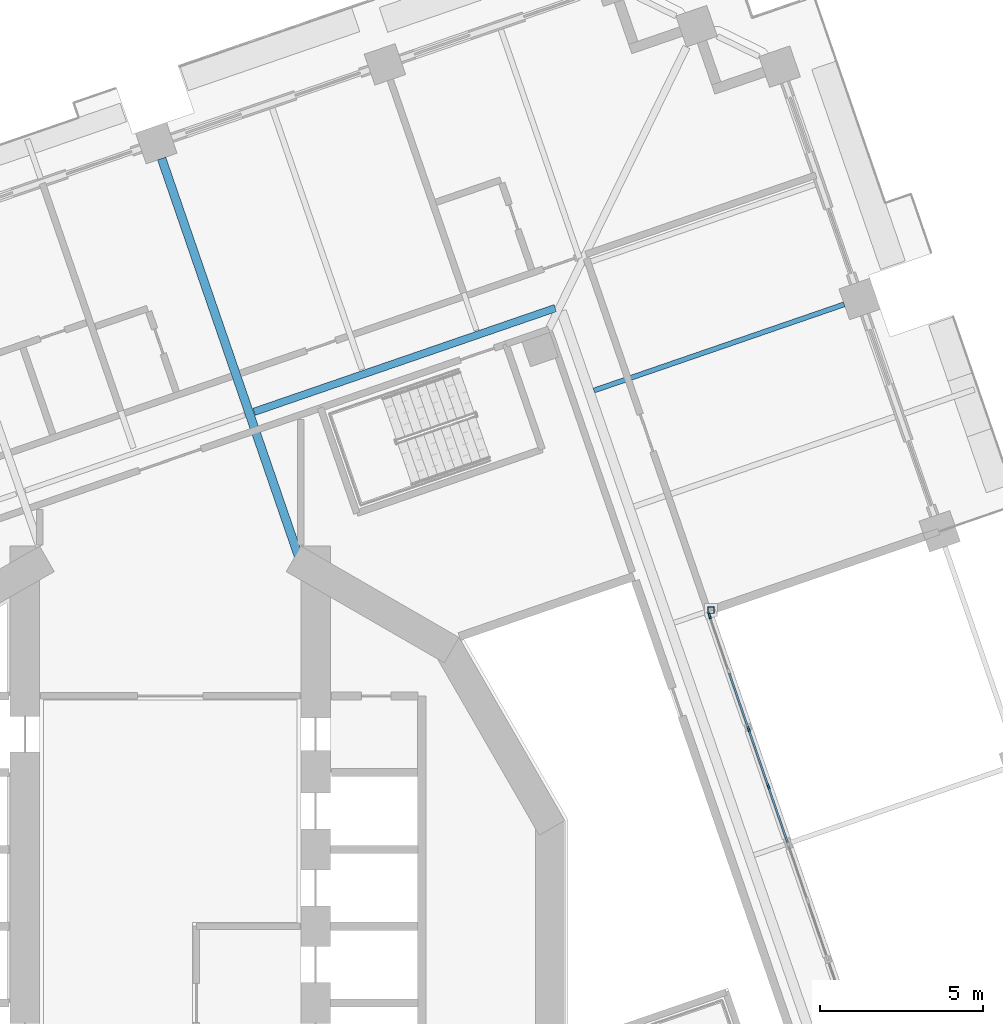
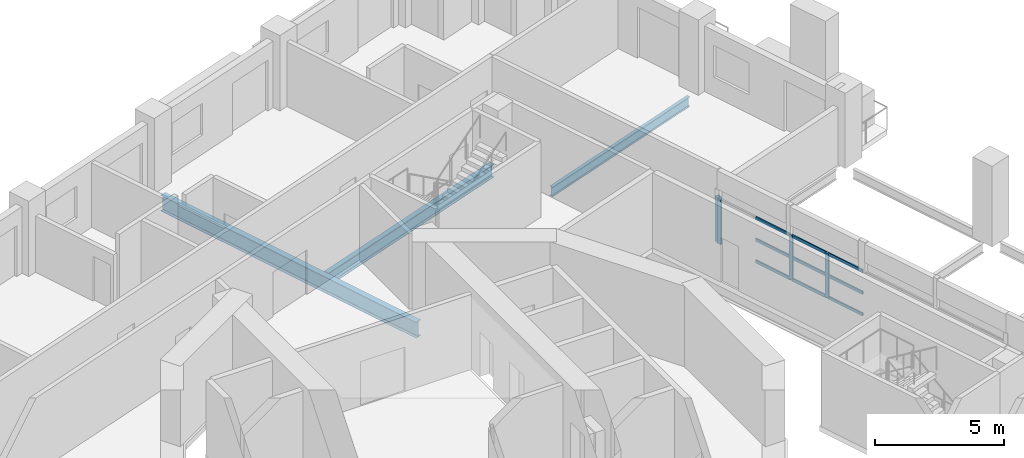
# One storey, part 4 of 21: 13 members, 3 beams, 1 element without a shape of its own.
"""IFC4 building model written with IfcOpenShell, lengths in metres."""

import ifcopenshell
import ifcopenshell.guid

model = None  # the IFC model being written
_history = None  # IfcOwnerHistory: only IFC2X3 demands one
_inside = {}  # id of a spatial element -> (the spatial element, [elements in it])
_under = {}  # id of a project, library or spatial element -> (it, [spatial elements below it])
_declared = {}  # id of a project -> (the project, [libraries it declares])
_typed = {}  # id of a type object -> (the type object, [elements of that type])
_made_of = {}  # id of a material, layer set ... -> (it, [elements and type objects made of it])


def new_model(schema):
    """Start an empty IFC model of exactly this schema.

    Asked for "IFC4X3", IfcOpenShell would pick the latest addendum, in which some entities
    have other attributes; the version numbers below select the first issue.
    IFC2X3 requires an IfcOwnerHistory on every rooted entity: one is made here for all.
    """
    global model, _history
    if schema == "IFC4X3":
        model = ifcopenshell.file(schema_version=(4, 3, 0, 0))
    else:
        model = ifcopenshell.file(schema=schema)
    _inside.clear()
    _under.clear()
    _declared.clear()
    _typed.clear()
    _made_of.clear()
    _history = None
    if model.schema == "IFC2X3":
        org = make("IfcOrganization", Name="unknown")
        user = make(
            "IfcPersonAndOrganization",
            ThePerson=make("IfcPerson", FamilyName="unknown"),
            TheOrganization=org,
        )
        app = make(
            "IfcApplication",
            ApplicationDeveloper=org,
            Version="unknown",
            ApplicationFullName="unknown",
            ApplicationIdentifier="unknown",
        )
        _history = make(
            "IfcOwnerHistory",
            OwningUser=user,
            OwningApplication=app,
            ChangeAction="ADDED",
            CreationDate=0,
        )
    return model


def make(cls, **values):
    """One entity of the class cls with the attributes given. An attribute that is None is left unset."""
    return model.create_entity(
        cls, **{name: value for name, value in values.items() if value is not None}
    )


def rooted(cls, **values):
    """An entity with a GlobalId (a new one), such as an element, a storey or a relation."""
    return make(cls, GlobalId=ifcopenshell.guid.new(), OwnerHistory=_history, **values)


def si_unit(unit_type, name, prefix=None):
    """IfcSIUnit, for example si_unit("LENGTHUNIT", "METRE", prefix="MILLI")."""
    return make("IfcSIUnit", UnitType=unit_type, Prefix=prefix, Name=name)


def assignment(units):
    """IfcUnitAssignment: the units of a project."""
    return None if units is None else make("IfcUnitAssignment", Units=units)


def point(xyz):
    """IfcCartesianPoint."""
    return None if xyz is None else make("IfcCartesianPoint", Coordinates=xyz)


def direction(xyz):
    """IfcDirection."""
    return None if xyz is None else make("IfcDirection", DirectionRatios=xyz)


def frame(location, z_axis=None, x_axis=None):
    """IfcAxis2Placement3D, a coordinate frame: its origin and axes. An axis left out is left unset."""
    return make(
        "IfcAxis2Placement3D",
        Location=point(location),
        Axis=direction(z_axis),
        RefDirection=direction(x_axis),
    )


def frame_2d(location, x_axis=None):
    """IfcAxis2Placement2D, a coordinate frame in the plane: its origin and x axis."""
    return make(
        "IfcAxis2Placement2D", Location=point(location), RefDirection=direction(x_axis)
    )


def origin():
    """The frame at (0, 0, 0) with its axes left unset."""
    return frame((0.0, 0.0, 0.0))


def origin_2d():
    """The frame at (0, 0) in the plane with its x axis left unset."""
    return frame_2d((0.0, 0.0))


def place(relative_to, where):
    """IfcLocalPlacement: puts the frame where relative to a parent placement (None: the world)."""
    return make(
        "IfcLocalPlacement", PlacementRelTo=relative_to, RelativePlacement=where
    )


def context(
    kind, dimensions, precision=None, world=None, true_north=None, identifier=None
):
    """IfcGeometricRepresentationContext, for example the 3D "Model" context."""
    return make(
        "IfcGeometricRepresentationContext",
        ContextIdentifier=identifier,
        ContextType=kind,
        CoordinateSpaceDimension=dimensions,
        Precision=precision,
        WorldCoordinateSystem=world,
        TrueNorth=true_north,
    )


def subcontext(parent, identifier, kind, view, scale=None):
    """IfcGeometricRepresentationSubContext, for example "Body" below "Model"."""
    return make(
        "IfcGeometricRepresentationSubContext",
        ContextIdentifier=identifier,
        ContextType=kind,
        ParentContext=parent,
        TargetScale=scale,
        TargetView=view,
    )


def project(units=None, contexts=None):
    """IfcProject with its units and contexts."""
    return rooted(
        "IfcProject",
        Name="project",
        RepresentationContexts=contexts,
        UnitsInContext=assignment(units),
    )


def spatial(cls, under=None, at=None, **own):
    """A site, building, storey or space (cls), placed at a placement, below another one or the project."""
    s = rooted(cls, ObjectPlacement=at, **own)
    if under is not None:
        _under.setdefault(under.id(), (under, []))[1].append(s)
    return s


def profile(cls, at=None, kind="AREA", **sizes):
    """A parametric profile (cls). Its sizes go by their IFC names, for example OverallWidth=200.0."""
    return make(cls, ProfileType=kind, Position=at, **sizes)


def rectangle(**sizes):
    """IfcRectangleProfileDef."""
    return profile("IfcRectangleProfileDef", **sizes)


def hollow_rectangle(**sizes):
    """IfcRectangleHollowProfileDef."""
    return profile("IfcRectangleHollowProfileDef", **sizes)


def i_section(**sizes):
    """IfcIShapeProfileDef."""
    return profile("IfcIShapeProfileDef", **sizes)


def extrude(swept, where, along, depth):
    """IfcExtrudedAreaSolid: the profile swept, set in the frame where, extruded along a direction by depth."""
    return make(
        "IfcExtrudedAreaSolid",
        SweptArea=swept,
        Position=where,
        ExtrudedDirection=direction(along),
        Depth=depth,
    )


def shape(context_of_items, identifier, shape_type, items):
    """IfcShapeRepresentation: the items that make up one representation, for example the "Body"."""
    return make(
        "IfcShapeRepresentation",
        ContextOfItems=context_of_items,
        RepresentationIdentifier=identifier,
        RepresentationType=shape_type,
        Items=items,
    )


def material(Name=None, Category=None):
    """IfcMaterial."""
    return make("IfcMaterial", Name=Name, Category=Category)


def material_profile(
    of_material, cross_section, Name=None, Category=None, Priority=None
):
    """IfcMaterialProfile: a cross section and its material."""
    return make(
        "IfcMaterialProfile",
        Name=Name,
        Material=of_material,
        Profile=cross_section,
        Priority=Priority,
        Category=Category,
    )


def profile_set(profiles, Name=None, composite=None):
    """IfcMaterialProfileSet."""
    return make(
        "IfcMaterialProfileSet",
        Name=Name,
        MaterialProfiles=profiles,
        CompositeProfile=composite,
    )


def made_of(thing, what):
    """Note that an element or type object is made of a material, layer set ...; save() writes the relation."""
    if what is not None:
        _made_of.setdefault(what.id(), (what, []))[1].append(thing)
    return thing


def type_object(cls, material=None, **own):
    """A type object (cls), such as IfcWallType, which elements share."""
    return made_of(rooted(cls, **own), material)


def element(
    cls,
    number,
    at=None,
    inside=None,
    cuts=None,
    type_object=None,
    material=None,
    context=None,
    identifier="Body",
    shape_type=None,
    held_by="IfcProductDefinitionShape",
    body=None,
    shapes=None,
    **own,
):
    """One element of the class cls, such as IfcWall. Its Tag is "e" and its number.

    at: its placement. inside: the storey or other place that contains it. cuts: it is an
    opening in that element (IfcRelVoidsElement). A single representation is given by context,
    identifier, shape_type and body (its items); several are given by shapes. held_by: the class
    of the entity that holds the representations. save() writes the other relations.
    """
    e = rooted(cls, Tag="e%d" % number, ObjectPlacement=at, **own)
    if body is not None:
        shapes = [shape(context, identifier, shape_type, body)]
    if shapes is not None:
        e.Representation = make(held_by, Representations=shapes)
    if inside is not None:
        _inside.setdefault(inside.id(), (inside, []))[1].append(e)
    if cuts is not None:
        rooted(
            "IfcRelVoidsElement", RelatingBuildingElement=cuts, RelatedOpeningElement=e
        )
    if type_object is not None:
        _typed.setdefault(type_object.id(), (type_object, []))[1].append(e)
    return made_of(e, material)


def aggregate(whole, parts):
    """IfcRelAggregates: a whole, such as a stair, and the parts it consists of."""
    return rooted("IfcRelAggregates", RelatingObject=whole, RelatedObjects=parts)


def save(model, path):
    """Write the relations noted so far, then the file.

    IfcRelAggregates (storeys below a building ...), IfcRelContainedInSpatialStructure (elements
    in a storey), IfcRelDefinesByType, IfcRelAssociatesMaterial and IfcRelDeclares: one each for
    every whole, place, type object, material and project.
    """
    for whole, parts in _under.values():
        aggregate(whole, parts)
    for where, things in _inside.values():
        rooted(
            "IfcRelContainedInSpatialStructure",
            RelatedElements=things,
            RelatingStructure=where,
        )
    for kind, things in _typed.values():
        rooted("IfcRelDefinesByType", RelatedObjects=things, RelatingType=kind)
    for what, things in _made_of.values():
        rooted("IfcRelAssociatesMaterial", RelatedObjects=things, RelatingMaterial=what)
    for by, libraries in _declared.values():
        rooted("IfcRelDeclares", RelatingContext=by, RelatedDefinitions=libraries)
    model.write(path)


model = new_model("IFC4")

# Units and contexts
model_context = context("Model", 3, precision=1e-05, world=origin(), true_north=direction((0.0, 1.0)))
body_context = subcontext(model_context, "Body", "Model", "MODEL_VIEW")
ifc_project = project(units=[si_unit("LENGTHUNIT", "METRE"), si_unit("AREAUNIT", "SQUARE_METRE"), si_unit("VOLUMEUNIT", "CUBIC_METRE"), si_unit("PLANEANGLEUNIT", "RADIAN"), si_unit("MASSUNIT", "GRAM", prefix="KILO")], contexts=[model_context])

# Site, building, storey
site_placement = place(None, origin())
site = spatial("IfcSite", under=ifc_project, at=site_placement, CompositionType="ELEMENT")
building_placement = place(site_placement, origin())
building = spatial("IfcBuilding", under=site, at=building_placement, Name="Cantera Rosa Tower", CompositionType="ELEMENT")
storey_placement = place(building_placement, frame((0.0, 0.0, 119.300048828125)))
storey = spatial("IfcBuildingStorey", under=building, at=storey_placement, Name="L24", CompositionType="ELEMENT", Elevation=119.300048828125)

# Curtain wall, members
ifc_material_1 = material(Name="Aluminium frame with clear glass", Category="aluminium")
curtain_wall_type = type_object("IfcCurtainWallType", Name="CW1 TERRACE POCKET GLAZING", PredefinedType="NOTDEFINED", material=ifc_material_1)
curtain_wall_placement = place(storey_placement, origin())
curtain_wall = element("IfcCurtainWall", 1, at=curtain_wall_placement, inside=storey, type_object=curtain_wall_type, Name="CW1 CW1", PredefinedType="NOTDEFINED")
ifc_material_2 = material(Name="Anodised bronze aluminium", Category="aluminium")
ifc_material_profile_1 = material_profile(ifc_material_2, rectangle(XDim=0.06005859375, YDim=0.179931640625, at=origin_2d()), Name="CW-MULLION 60x180 POCKET")
ifc_profile_set_1 = profile_set([ifc_material_profile_1], Name="Anodised bronze aluminium")
member_type_1 = type_object("IfcMemberType", Name="CW-MULLION 60x180 POCKET", PredefinedType="MULLION", material=ifc_profile_set_1)
member_1_placement = place(storey_placement, frame((18.303466796875, 4.281005859375, 0.0), z_axis=(0.0, 0.0, 1.0), x_axis=(-0.945518575588, -0.32556815449, 0.0)))
member_1 = element("IfcMember", 2, at=member_1_placement, type_object=member_type_1, Name="CW1 mullion 6", PredefinedType="MULLION", context=body_context, shape_type="SweptSolid", body=[
    extrude(rectangle(XDim=0.06005859375, YDim=0.179931640625, at=origin_2d()), origin(), (0.0, 0.0, 1.0), 2.10400390625),
])
member_2_placement = place(storey_placement, frame((17.70166015625, 6.029052734375, 0.0), z_axis=(0.0, 0.0, 1.0), x_axis=(-0.945518575588, -0.32556815449, 0.0)))
member_2 = element("IfcMember", 3, at=member_2_placement, type_object=member_type_1, Name="CW1 mullion 7", PredefinedType="MULLION", context=body_context, shape_type="SweptSolid", body=[
    extrude(rectangle(XDim=0.06005859375, YDim=0.179931640625, at=origin_2d()), origin(), (0.0, 0.0, 1.0), 2.10400390625),
])
member_3_placement = place(storey_placement, frame((16.507568359375, 9.496826171875, 0.0), z_axis=(0.0, 0.0, 1.0), x_axis=(-0.945518575588, -0.32556815449, 0.0)))
member_3 = element("IfcMember", 4, at=member_3_placement, type_object=member_type_1, Name="CW1 mullion 9", PredefinedType="MULLION", context=body_context, shape_type="SweptSolid", body=[
    extrude(rectangle(XDim=0.06005859375, YDim=0.179931640625, at=origin_2d()), origin(), (0.0, 0.0, 1.0), 2.10400390625),
])
ifc_material_3 = material(Name="Anodised bronze aluminium", Category="aluminium")
ifc_material_profile_2 = material_profile(ifc_material_3, rectangle(XDim=0.06005859375, YDim=0.139892578125, at=origin_2d()), Name="CW-TRANSOM 60x140 POCKET")
ifc_profile_set_2 = profile_set([ifc_material_profile_2], Name="Anodised bronze aluminium")
member_type_2 = type_object("IfcMemberType", Name="CW-TRANSOM 60x140 POCKET", PredefinedType="USERDEFINED", material=ifc_profile_set_2)
member_4_placement = place(storey_placement, frame((18.8955078125, 2.561279296875, 0.030029296875), z_axis=(-0.325506938428, 0.945539651752, 0.0), x_axis=(-0.945539651752, -0.325506938428, 0.0)))
member_4 = element("IfcMember", 5, at=member_4_placement, type_object=member_type_2, Name="CW1 transom 5.1", ObjectType="TRANSOM", PredefinedType="USERDEFINED", context=body_context, shape_type="SweptSolid", body=[
    extrude(rectangle(XDim=0.06005859375, YDim=0.139892578125, at=origin_2d()), origin(), (0.0, 0.0, 1.0), 1.788818359375),
])
member_5_placement = place(storey_placement, frame((18.8955078125, 2.561279296875, 1.052001953125), z_axis=(-0.325506938428, 0.945539651752, 0.0), x_axis=(-0.945539651752, -0.325506938428, 0.0)))
member_5 = element("IfcMember", 6, at=member_5_placement, type_object=member_type_2, Name="CW1 transom 5.2", ObjectType="TRANSOM", PredefinedType="USERDEFINED", context=body_context, shape_type="SweptSolid", body=[
    extrude(rectangle(XDim=0.06005859375, YDim=0.139892578125, at=origin_2d()), origin(), (0.0, 0.0, 1.0), 1.788818359375),
])
member_6_placement = place(storey_placement, frame((18.8955078125, 2.561279296875, 2.073974609375), z_axis=(-0.325506938428, 0.945539651752, 0.0), x_axis=(-0.945539651752, -0.325506938428, 0.0)))
member_6 = element("IfcMember", 7, at=member_6_placement, type_object=member_type_2, Name="CW1 transom 5.3", ObjectType="TRANSOM", PredefinedType="USERDEFINED", context=body_context, shape_type="SweptSolid", body=[
    extrude(rectangle(XDim=0.06005859375, YDim=0.139892578125, at=origin_2d()), origin(), (0.0, 0.0, 1.0), 1.788818359375),
])
member_7_placement = place(storey_placement, frame((18.293701171875, 4.309326171875, 0.030029296875), z_axis=(-0.325506938428, 0.945539651752, 0.0), x_axis=(-0.945539651752, -0.325506938428, 0.0)))
member_7 = element("IfcMember", 8, at=member_7_placement, type_object=member_type_2, Name="CW1 transom 6.1", ObjectType="TRANSOM", PredefinedType="USERDEFINED", context=body_context, shape_type="SweptSolid", body=[
    extrude(rectangle(XDim=0.06005859375, YDim=0.139892578125, at=origin_2d()), origin(), (0.0, 0.0, 1.0), 1.788818359375),
])
member_8_placement = place(storey_placement, frame((18.293701171875, 4.309326171875, 1.052001953125), z_axis=(-0.325506938428, 0.945539651752, 0.0), x_axis=(-0.945539651752, -0.325506938428, 0.0)))
member_8 = element("IfcMember", 9, at=member_8_placement, type_object=member_type_2, Name="CW1 transom 6.2", ObjectType="TRANSOM", PredefinedType="USERDEFINED", context=body_context, shape_type="SweptSolid", body=[
    extrude(rectangle(XDim=0.06005859375, YDim=0.139892578125, at=origin_2d()), origin(), (0.0, 0.0, 1.0), 1.788818359375),
])
member_9_placement = place(storey_placement, frame((18.293701171875, 4.309326171875, 2.073974609375), z_axis=(-0.325506938428, 0.945539651752, 0.0), x_axis=(-0.945539651752, -0.325506938428, 0.0)))
member_9 = element("IfcMember", 10, at=member_9_placement, type_object=member_type_2, Name="CW1 transom 6.3", ObjectType="TRANSOM", PredefinedType="USERDEFINED", context=body_context, shape_type="SweptSolid", body=[
    extrude(rectangle(XDim=0.06005859375, YDim=0.139892578125, at=origin_2d()), origin(), (0.0, 0.0, 1.0), 1.788818359375),
])
member_10_placement = place(storey_placement, frame((17.69189453125, 6.057373046875, 0.030029296875), z_axis=(-0.325628950391, 0.945497639694, 0.0), x_axis=(-0.945497639694, -0.325628950391, 0.0)))
member_10 = element("IfcMember", 11, at=member_10_placement, type_object=member_type_2, Name="CW1 transom 7.1", ObjectType="TRANSOM", PredefinedType="USERDEFINED", context=body_context, shape_type="SweptSolid", body=[
    extrude(rectangle(XDim=0.06005859375, YDim=0.139892578125, at=origin_2d()), origin(), (0.0, 0.0, 1.0), 1.788818359375),
])
member_11_placement = place(storey_placement, frame((17.69189453125, 6.057373046875, 1.052001953125), z_axis=(-0.325628950391, 0.945497639694, 0.0), x_axis=(-0.945497639694, -0.325628950391, 0.0)))
member_11 = element("IfcMember", 12, at=member_11_placement, type_object=member_type_2, Name="CW1 transom 7.2", ObjectType="TRANSOM", PredefinedType="USERDEFINED", context=body_context, shape_type="SweptSolid", body=[
    extrude(rectangle(XDim=0.06005859375, YDim=0.139892578125, at=origin_2d()), origin(), (0.0, 0.0, 1.0), 1.788818359375),
])
member_12_placement = place(storey_placement, frame((17.69189453125, 6.057373046875, 2.073974609375), z_axis=(-0.325628950391, 0.945497639694, 0.0), x_axis=(-0.945497639694, -0.325628950391, 0.0)))
member_12 = element("IfcMember", 13, at=member_12_placement, type_object=member_type_2, Name="CW1 transom 7.3", ObjectType="TRANSOM", PredefinedType="USERDEFINED", context=body_context, shape_type="SweptSolid", body=[
    extrude(rectangle(XDim=0.06005859375, YDim=0.139892578125, at=origin_2d()), origin(), (0.0, 0.0, 1.0), 1.788818359375),
])
aggregate(curtain_wall, [member_1, member_2, member_3, member_4, member_5, member_6, member_7, member_8, member_9, member_10, member_11, member_12])

# Member
ifc_material_4 = material(Name="Steel ASTM A992 (Fy 345 MPa)", Category="steel")
ifc_material_profile_3 = material_profile(ifc_material_4, hollow_rectangle(XDim=0.199951171875, YDim=0.199951171875, WallThickness=0.010009765625, at=origin_2d()), Name="LINTEL POST RHS 200x200x10")
ifc_profile_set_3 = profile_set([ifc_material_profile_3], Name="Steel ASTM A992 (Fy 345 MPa)")
member_type_3 = type_object("IfcMemberType", Name="LINTEL POST RHS 200x200x10", PredefinedType="USERDEFINED", material=ifc_profile_set_3)
member_13_placement = place(storey_placement, frame((16.551513671875, 9.67578125, 0.0), z_axis=(0.0, 0.0, 1.0), x_axis=(1.0, 0.0, 0.0)))
element("IfcMember", 14, at=member_13_placement, inside=storey, type_object=member_type_3, Name="LINTEL POST L24-2", ObjectType="LINTEL POST", PredefinedType="USERDEFINED", context=body_context, shape_type="SweptSolid", body=[
    extrude(hollow_rectangle(XDim=0.199951171875, YDim=0.199951171875, WallThickness=0.010009765625, at=origin_2d()), origin(), (0.0, 0.0, 1.0), 2.10595703125),
])

# Beams
ifc_material_5 = material(Name="Steel ASTM A992 (Fy 345 MPa)", Category="steel")
ifc_material_profile_4 = material_profile(ifc_material_5, i_section(OverallWidth=0.154052734375, OverallDepth=0.4599609375, WebThickness=0.009033203125, FlangeThickness=0.015380859375, FilletRadius=0.01025390625, at=origin_2d()), Name="W460X68")
ifc_profile_set_4 = profile_set([ifc_material_profile_4], Name="Steel ASTM A992 (Fy 345 MPa)")
beam_type_1 = type_object("IfcBeamType", Name="STEEL BEAM W460X68", PredefinedType="BEAM", material=ifc_profile_set_4)
beam_1_placement = place(storey_placement, frame((20.62744140625, 19.032470703125, -0.47998046875), z_axis=(-0.945523745635, -0.325553139197, 0.0), x_axis=(0.325553139197, -0.945523745635, 0.0)))
element("IfcBeam", 15, at=beam_1_placement, inside=storey, type_object=beam_type_1, Name="G-Z2-04 L24", PredefinedType="BEAM", context=body_context, shape_type="SweptSolid", body=[
    extrude(i_section(OverallWidth=0.154052734375, OverallDepth=0.4599609375, WebThickness=0.009033203125, FlangeThickness=0.015380859375, FilletRadius=0.01025390625, at=origin_2d()), origin(), (0.0, 0.0, 1.0), 8.099853515625),
])
ifc_material_6 = material(Name="Steel ASTM A992 (Fy 345 MPa)", Category="steel")
ifc_material_profile_5 = material_profile(ifc_material_6, i_section(OverallWidth=0.22900390625, OverallDepth=0.612060546875, WebThickness=0.011962890625, FlangeThickness=0.01953125, FilletRadius=0.0126953125, at=origin_2d()), Name="W610X125")
ifc_profile_set_5 = profile_set([ifc_material_profile_5], Name="Steel ASTM A992 (Fy 345 MPa)")
beam_type_2 = type_object("IfcBeamType", Name="STEEL BEAM W610X125", PredefinedType="BEAM", material=ifc_profile_set_5)
beam_2_placement = place(storey_placement, frame((2.564453125, 15.74267578125, -0.55615234375), z_axis=(0.945524824291, 0.325550006372, 0.0), x_axis=(-0.325550006372, 0.945524824291, 0.0)))
element("IfcBeam", 16, at=beam_2_placement, inside=storey, type_object=beam_type_2, Name="RB-Z2-04 L24", PredefinedType="BEAM", context=body_context, shape_type="SweptSolid", body=[
    extrude(i_section(OverallWidth=0.22900390625, OverallDepth=0.612060546875, WebThickness=0.011962890625, FlangeThickness=0.01953125, FilletRadius=0.0126953125, at=origin_2d()), origin(), (0.0, 0.0, 1.0), 9.749755859375),
])
ifc_material_7 = material(Name="Steel ASTM A992 (Fy 345 MPa)", Category="steel")
ifc_material_profile_6 = material_profile(ifc_material_7, i_section(OverallWidth=0.26708984375, OverallDepth=0.75390625, WebThickness=0.01318359375, FlangeThickness=0.01708984375, FilletRadius=0.0166015625, at=origin_2d()), Name="W760X147")
ifc_profile_set_6 = profile_set([ifc_material_profile_6], Name="Steel ASTM A992 (Fy 345 MPa)")
beam_type_3 = type_object("IfcBeamType", Name="STEEL BEAM W760X147", PredefinedType="BEAM", material=ifc_profile_set_6)
beam_3_placement = place(storey_placement, frame((-0.263427734375, 23.494384765625, -0.626953125), z_axis=(0.325569500581, -0.945518112091, 0.0), x_axis=(0.945518112091, 0.325569500581, 0.0)))
element("IfcBeam", 17, at=beam_3_placement, inside=storey, type_object=beam_type_3, Name="G-Z2-06 L24", PredefinedType="BEAM", context=body_context, shape_type="SweptSolid", body=[
    extrude(i_section(OverallWidth=0.26708984375, OverallDepth=0.75390625, WebThickness=0.01318359375, FlangeThickness=0.01708984375, FilletRadius=0.0166015625, at=origin_2d()), origin(), (0.0, 0.0, 1.0), 13.09521484375),
])

save(model, "model.ifc")
